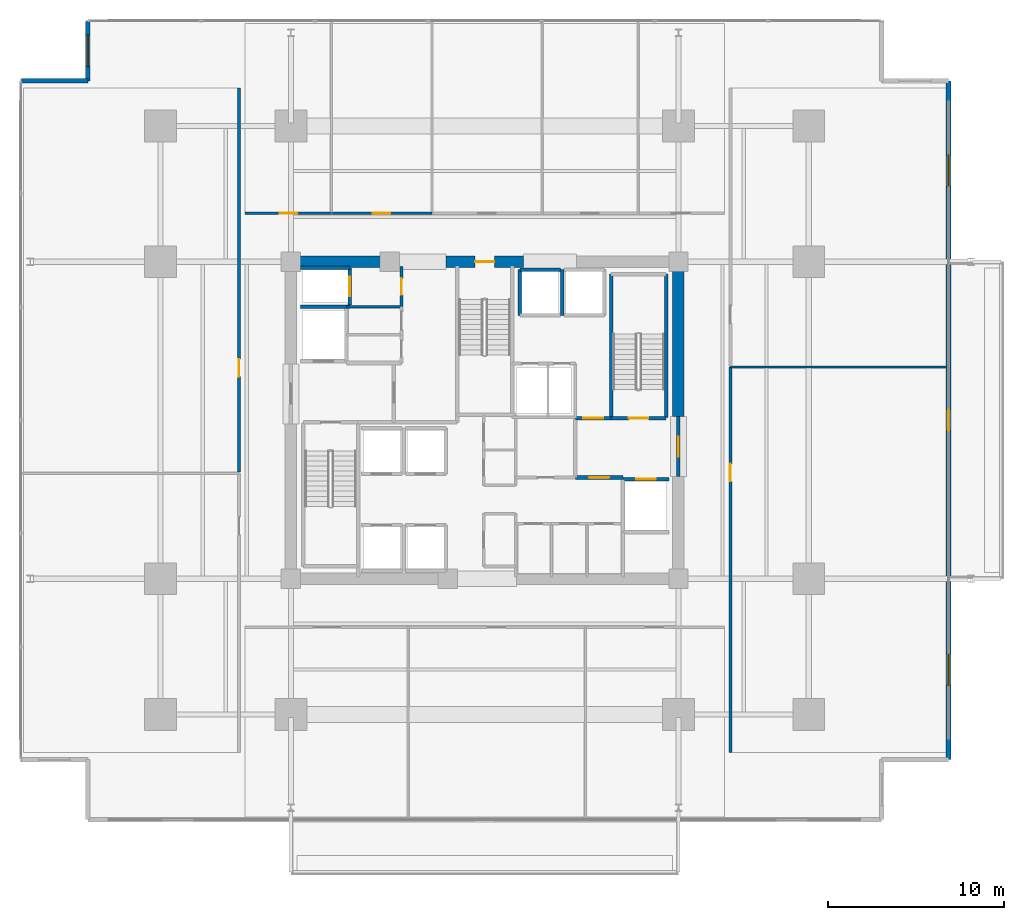
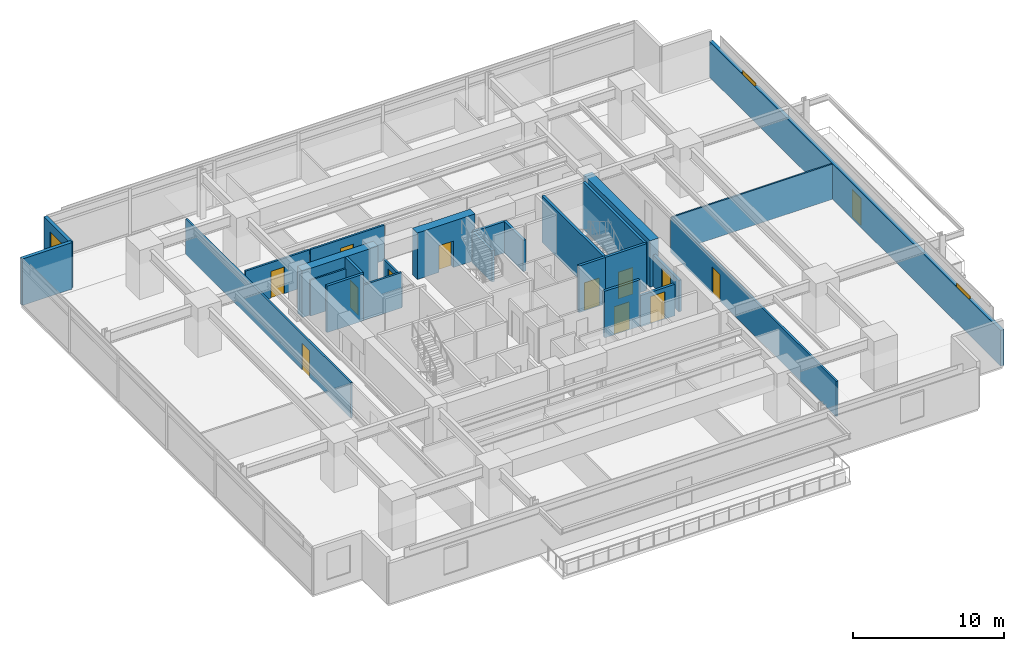
# One storey, part 15 of 21: 26 walls, 13 doors, 3 windows, 16 openings.
"""IFC4 building model written with IfcOpenShell, lengths in metres."""

from ifc_helpers import new_model, si_unit, direction, frame, frame_2d, origin, place, context, subcontext, project, spatial, rectangle, extrude, material, layer, layer_set, type_object, element, fill, save


model = new_model("IFC4")

# Units and contexts
model_context = context("Model", 3, precision=1e-05, world=origin(), true_north=direction((0.0, 1.0)))
body_context = subcontext(model_context, "Body", "Model", "MODEL_VIEW")
ifc_project = project(units=[si_unit("LENGTHUNIT", "METRE"), si_unit("AREAUNIT", "SQUARE_METRE"), si_unit("VOLUMEUNIT", "CUBIC_METRE"), si_unit("PLANEANGLEUNIT", "RADIAN"), si_unit("MASSUNIT", "GRAM", prefix="KILO")], contexts=[model_context])

# Site, building, storey
site_placement = place(None, origin())
site = spatial("IfcSite", under=ifc_project, at=site_placement, CompositionType="ELEMENT")
building_placement = place(site_placement, origin())
building = spatial("IfcBuilding", under=site, at=building_placement, Name="Kovane Verandah Tower", CompositionType="ELEMENT")
storey_placement = place(building_placement, frame((0.0, 0.0, 87.60009765625)))
storey = spatial("IfcBuildingStorey", under=building, at=storey_placement, Name="L20", CompositionType="ELEMENT", Elevation=87.60009765625)

# Wall
ifc_material_1 = material(Name="Fire-Rated Gypsum Stud Partition", Category="gypsum")
ifc_layer_1 = layer(ifc_material_1, 0.14990234375)
ifc_layer_set_1 = layer_set([ifc_layer_1], Name="Fire-Rated Gypsum Stud Partition")
wall_type_1 = type_object("IfcWallType", Name="WL-COR-150", PredefinedType="PARTITIONING", material=ifc_layer_set_1)
wall_1_placement = place(storey_placement, frame((32.14990234375, 33.949951171875, 0.0), z_axis=(0.0, 0.0, 1.0), x_axis=(1.0, 0.0, 0.0)))
element("IfcWall", 1, at=wall_1_placement, inside=storey, type_object=wall_type_1, Name="L20 Goods Lift Lobby South Wall", PredefinedType="PARTITIONING", context=body_context, shape_type="SweptSolid", body=[
    extrude(rectangle(XDim=3.130126953125, YDim=0.14990234375, at=frame_2d((1.56494140625, 0.0))), origin(), (0.0, 0.0, 1.0), 2.849853515625),
])

# Wall, opening, door
wall_2_placement = place(storey_placement, frame((35.280029296875, 33.949951171875, 0.0), z_axis=(0.0, 0.0, 1.0), x_axis=(0.0, 1.0, 0.0)))
wall_2 = element("IfcWall", 2, at=wall_2_placement, inside=storey, type_object=wall_type_1, Name="L20 Goods Lift Lobby East Fire Partition", PredefinedType="PARTITIONING", context=body_context, shape_type="SweptSolid", body=[
    extrude(rectangle(XDim=2.27001953125, YDim=0.14990234375, at=frame_2d((1.135009765625, 0.0))), origin(), (0.0, 0.0, 1.0), 2.539794921875),
])
opening_1_placement = place(wall_2_placement, frame((0.659912109375, 0.0, 0.0)))
opening_1 = element("IfcOpeningElement", 3, at=opening_1_placement, cuts=wall_2, Name="Opening DR-L20-008", PredefinedType="OPENING", context=body_context, shape_type="SweptSolid", body=[
    extrude(rectangle(XDim=0.949951171875, YDim=2.14990234375, at=frame_2d((0.47509765625, 1.074951171875))), frame((0.0, 0.074951171875, 0.0), z_axis=(0.0, -1.0, 0.0), x_axis=(1.0, 0.0, 0.0)), (0.0, 0.0, 1.0), 0.14990234375),
])
ifc_material_2 = material(Name="Fire-Rated Steel Refuge and Lobby Door", Category="steel")
door_type_1 = type_object("IfcDoorType", Name="DR-FIRE-950", OperationType="SINGLE_SWING_LEFT", PredefinedType="DOOR", material=ifc_material_2)
door_1_placement = place(opening_1_placement, origin())
door_1 = element("IfcDoor", 4, at=door_1_placement, inside=storey, type_object=door_type_1, Name="L20 Goods Lift Lobby Fire Door", OperationType="SINGLE_SWING_LEFT", OverallHeight=2.14990234375, OverallWidth=0.949951171875, PredefinedType="DOOR", context=body_context, shape_type="SweptSolid", body=[
    extrude(rectangle(XDim=0.949951171875, YDim=2.14990234375, at=frame_2d((0.47509765625, 1.074951171875))), frame((0.0, 0.02490234375, 0.0), z_axis=(0.0, -1.0, 0.0), x_axis=(1.0, 0.0, 0.0)), (0.0, 0.0, 1.0), 0.050048828125),
])
fill(opening_1, door_1)

wall_3_placement = place(storey_placement, frame((26.39990234375, 39.25, 0.0), z_axis=(0.0, 0.0, 1.0), x_axis=(1.0, 0.0, 0.0)))
wall_3 = element("IfcWall", 5, at=wall_3_placement, inside=storey, type_object=wall_type_1, Name="L20 Breakout Pantry N1 Corridor Partition", PredefinedType="PARTITIONING", context=body_context, shape_type="SweptSolid", body=[
    extrude(rectangle(XDim=4.89599609375, YDim=0.14990234375, at=frame_2d((2.447998046875, 0.0))), origin(), (0.0, 0.0, 1.0), 2.849853515625),
])
opening_2_placement = place(wall_3_placement, frame((1.962890625, 0.0, 0.0)))
opening_2 = element("IfcOpeningElement", 6, at=opening_2_placement, cuts=wall_3, Name="Opening DR-L20-021", PredefinedType="OPENING", context=body_context, shape_type="SweptSolid", body=[
    extrude(rectangle(XDim=1.0, YDim=2.14990234375, at=frame_2d((0.5, 1.074951171875))), frame((0.0, 0.074951171875, 0.0), z_axis=(0.0, -1.0, 0.0), x_axis=(1.0, 0.0, 0.0)), (0.0, 0.0, 1.0), 0.14990234375),
])
ifc_material_3 = material(Name="FSC Spotted-Gum Timber Fire-Rated Office Door", Category="wood")
door_type_2 = type_object("IfcDoorType", Name="DR-OFF-1000", OperationType="SINGLE_SWING_LEFT", PredefinedType="DOOR", material=ifc_material_3)
door_2_placement = place(opening_2_placement, origin())
door_2 = element("IfcDoor", 7, at=door_2_placement, inside=storey, type_object=door_type_2, Name="L20 Breakout Pantry N1 Entrance Door", OperationType="SINGLE_SWING_RIGHT", OverallHeight=2.14990234375, OverallWidth=1.0, PredefinedType="DOOR", context=body_context, shape_type="SweptSolid", body=[
    extrude(rectangle(XDim=1.0, YDim=2.14990234375, at=frame_2d((0.5, 1.074951171875))), frame((0.0, 0.02490234375, 0.0), z_axis=(0.0, -1.0, 0.0), x_axis=(1.0, 0.0, 0.0)), (0.0, 0.0, 1.0), 0.050048828125),
])
fill(opening_2, door_2)

wall_4_placement = place(storey_placement, frame((31.365966796875, 39.25, 0.0), z_axis=(0.0, 0.0, 1.0), x_axis=(1.0, 0.0, 0.0)))
wall_4 = element("IfcWall", 8, at=wall_4_placement, inside=storey, type_object=wall_type_1, Name="L20 Collaboration Hub N2 Corridor Partition", PredefinedType="PARTITIONING", context=body_context, shape_type="SweptSolid", body=[
    extrude(rectangle(XDim=5.64208984375, YDim=0.14990234375, at=frame_2d((2.821044921875, 0.0))), origin(), (0.0, 0.0, 1.0), 2.849853515625),
])
opening_3_placement = place(wall_4_placement, frame((2.285888671875, 0.0, 0.0)))
opening_3 = element("IfcOpeningElement", 9, at=opening_3_placement, cuts=wall_4, Name="Opening DR-L20-022", PredefinedType="OPENING", context=body_context, shape_type="SweptSolid", body=[
    extrude(rectangle(XDim=1.0, YDim=2.14990234375, at=frame_2d((0.5, 1.074951171875))), frame((0.0, 0.074951171875, 0.0), z_axis=(0.0, -1.0, 0.0), x_axis=(1.0, 0.0, 0.0)), (0.0, 0.0, 1.0), 0.14990234375),
])
door_3_placement = place(opening_3_placement, origin())
door_3 = element("IfcDoor", 10, at=door_3_placement, inside=storey, type_object=door_type_2, Name="L20 Collaboration Hub N2 Entrance Door", OperationType="SINGLE_SWING_LEFT", OverallHeight=2.14990234375, OverallWidth=1.0, PredefinedType="DOOR", context=body_context, shape_type="SweptSolid", body=[
    extrude(rectangle(XDim=1.0, YDim=2.14990234375, at=frame_2d((0.5, 1.074951171875))), frame((0.0, 0.02490234375, 0.0), z_axis=(0.0, -1.0, 0.0), x_axis=(1.0, 0.0, 0.0)), (0.0, 0.0, 1.0), 0.050048828125),
])
fill(opening_3, door_3)

wall_5_placement = place(storey_placement, frame((26.050048828125, 24.55078125, 0.0), z_axis=(0.0, 0.0, 1.0), x_axis=(0.0, 1.0, 0.0)))
wall_5 = element("IfcWall", 11, at=wall_5_placement, inside=storey, type_object=wall_type_1, Name="L20 Collaboration Hub W2 Corridor Partition", PredefinedType="PARTITIONING", context=body_context, shape_type="SweptSolid", body=[
    extrude(rectangle(XDim=21.820068359375, YDim=0.14990234375, at=frame_2d((10.91015625, 0.0))), origin(), (0.0, 0.0, 1.0), 2.849853515625),
])
opening_4_placement = place(wall_5_placement, frame((5.424560546875, 0.0, 0.0)))
opening_4 = element("IfcOpeningElement", 12, at=opening_4_placement, cuts=wall_5, Name="Opening DR-L20-034", PredefinedType="OPENING", context=body_context, shape_type="SweptSolid", body=[
    extrude(rectangle(XDim=1.0, YDim=2.14990234375, at=frame_2d((0.5, 1.074951171875))), frame((0.0, 0.074951171875, 0.0), z_axis=(0.0, -1.0, 0.0), x_axis=(1.0, 0.0, 0.0)), (0.0, 0.0, 1.0), 0.14990234375),
])
door_4_placement = place(opening_4_placement, origin())
door_4 = element("IfcDoor", 13, at=door_4_placement, inside=storey, type_object=door_type_2, Name="L20 Collaboration Hub W2 Entrance Door", OperationType="SINGLE_SWING_LEFT", OverallHeight=2.14990234375, OverallWidth=1.0, PredefinedType="DOOR", context=body_context, shape_type="SweptSolid", body=[
    extrude(rectangle(XDim=1.0, YDim=2.14990234375, at=frame_2d((0.5, 1.074951171875))), frame((0.0, 0.02490234375, 0.0), z_axis=(0.0, -1.0, 0.0), x_axis=(1.0, 0.0, 0.0)), (0.0, 0.0, 1.0), 0.050048828125),
])
fill(opening_4, door_4)

wall_6_placement = place(storey_placement, frame((53.949951171875, 8.629150390625, 0.0), z_axis=(0.0, 0.0, 1.0), x_axis=(0.0, 1.0, 0.0)))
wall_6 = element("IfcWall", 14, at=wall_6_placement, inside=storey, type_object=wall_type_1, Name="L20 Document and Print Room E1 Corridor Partition", PredefinedType="PARTITIONING", context=body_context, shape_type="SweptSolid", body=[
    extrude(rectangle(XDim=21.89013671875, YDim=0.14990234375, at=frame_2d((10.945068359375, 0.0))), origin(), (0.0, 0.0, 1.0), 2.849853515625),
])
opening_5_placement = place(wall_6_placement, frame((15.3955078125, 0.0, 0.0)))
opening_5 = element("IfcOpeningElement", 15, at=opening_5_placement, cuts=wall_6, Name="Opening DR-L20-013", PredefinedType="OPENING", context=body_context, shape_type="SweptSolid", body=[
    extrude(rectangle(XDim=1.0, YDim=2.14990234375, at=frame_2d((0.5, 1.074951171875))), frame((0.0, 0.074951171875, 0.0), z_axis=(0.0, -1.0, 0.0), x_axis=(1.0, 0.0, 0.0)), (0.0, 0.0, 1.0), 0.14990234375),
])
door_5_placement = place(opening_5_placement, origin())
door_5 = element("IfcDoor", 16, at=door_5_placement, inside=storey, type_object=door_type_2, Name="L20 Document and Print Room E1 Entrance Door", OperationType="SINGLE_SWING_RIGHT", OverallHeight=2.14990234375, OverallWidth=1.0, PredefinedType="DOOR", context=body_context, shape_type="SweptSolid", body=[
    extrude(rectangle(XDim=1.0, YDim=2.14990234375, at=frame_2d((0.5, 1.074951171875))), frame((0.0, 0.02490234375, 0.0), z_axis=(0.0, -1.0, 0.0), x_axis=(1.0, 0.0, 0.0)), (0.0, 0.0, 1.0), 0.050048828125),
])
fill(opening_5, door_5)

# Wall
ifc_material_4 = material(Name="Concrete C80/95", Category="concrete")
ifc_layer_2 = layer(ifc_material_4, 0.64990234375)
ifc_layer_set_2 = layer_set([ifc_layer_2], Name="Concrete C80/95")
wall_type_2 = type_object("IfcWallType", Name="WL-CORE-650", PredefinedType="SHEAR", material=ifc_layer_set_2)
wall_7_placement = place(storey_placement, frame((29.0, 36.5, 0.0), z_axis=(0.0, 0.0, 1.0), x_axis=(1.0, 0.0, 0.0)))
element("IfcWall", 17, at=wall_7_placement, inside=storey, type_object=wall_type_2, Name="L20 Core Shear Wall CN-1", PredefinedType="SHEAR", context=body_context, shape_type="SweptSolid", body=[
    extrude(rectangle(XDim=5.800048828125, YDim=0.64990234375, at=frame_2d((2.89990234375, 0.0))), origin(), (0.0, 0.0, 1.0), 3.760009765625),
])

# Wall, opening, door
wall_8_placement = place(storey_placement, frame((37.800048828125, 36.5, 0.0), z_axis=(0.0, 0.0, 1.0), x_axis=(1.0, 0.0, 0.0)))
wall_8 = element("IfcWall", 18, at=wall_8_placement, inside=storey, type_object=wall_type_2, Name="L20 Core Shear Wall CN-2", PredefinedType="SHEAR", context=body_context, shape_type="SweptSolid", body=[
    extrude(rectangle(XDim=4.39990234375, YDim=0.64990234375, at=frame_2d((2.199951171875, 0.0))), origin(), (0.0, 0.0, 1.0), 3.760009765625),
])
opening_6_placement = place(wall_8_placement, frame((1.64990234375, 0.0, 0.0)))
opening_6 = element("IfcOpeningElement", 19, at=opening_6_placement, cuts=wall_8, Name="Opening DR-L20-011", PredefinedType="OPENING", context=body_context, shape_type="SweptSolid", body=[
    extrude(rectangle(XDim=1.10009765625, YDim=2.14990234375, at=frame_2d((0.550048828125, 1.074951171875))), frame((0.0, 0.324951171875, 0.0), z_axis=(0.0, -1.0, 0.0), x_axis=(1.0, 0.0, 0.0)), (0.0, 0.0, 1.0), 0.64990234375),
])
ifc_material_5 = material(Name="Fire-Rated Steel Exit Door", Category="steel")
door_type_3 = type_object("IfcDoorType", Name="DR-STAIR-1100", OperationType="SINGLE_SWING_LEFT", PredefinedType="DOOR", material=ifc_material_5)
door_6_placement = place(opening_6_placement, origin())
door_6 = element("IfcDoor", 20, at=door_6_placement, inside=storey, type_object=door_type_3, Name="L20 ST-03 Fire Exit Stair Door", OperationType="SINGLE_SWING_LEFT", OverallHeight=2.14990234375, OverallWidth=1.10009765625, PredefinedType="DOOR", context=body_context, shape_type="SweptSolid", body=[
    extrude(rectangle(XDim=1.10009765625, YDim=2.14990234375, at=frame_2d((0.550048828125, 1.074951171875))), frame((0.0, 0.02490234375, 0.0), z_axis=(0.0, -1.0, 0.0), x_axis=(1.0, 0.0, 0.0)), (0.0, 0.0, 1.0), 0.050048828125),
])
fill(opening_6, door_6)

# Wall
wall_9_placement = place(storey_placement, frame((51.0, 27.699951171875, 0.0), z_axis=(0.0, 0.0, 1.0), x_axis=(0.0, 1.0, 0.0)))
element("IfcWall", 21, at=wall_9_placement, inside=storey, type_object=wall_type_2, Name="L20 Core Shear Wall CE-2", PredefinedType="SHEAR", context=body_context, shape_type="SweptSolid", body=[
    extrude(rectangle(XDim=8.800048828125, YDim=0.64990234375, at=frame_2d((4.39990234375, 0.0))), origin(), (0.0, 0.0, 1.0), 3.760009765625),
])

# Wall, opening, door
ifc_material_6 = material(Name="Concrete C45/55 Fire Wall", Category="concrete")
ifc_layer_3 = layer(ifc_material_6, 0.199951171875)
ifc_layer_set_3 = layer_set([ifc_layer_3], Name="Concrete C45/55 Fire Wall")
wall_type_3 = type_object("IfcWallType", Name="WL-FFL-200", PredefinedType="PARTITIONING", material=ifc_layer_set_3)
wall_10_placement = place(storey_placement, frame((45.14990234375, 24.25, 0.0), z_axis=(0.0, 0.0, 1.0), x_axis=(1.0, 0.0, 0.0)))
wall_10 = element("IfcWall", 22, at=wall_10_placement, inside=storey, type_object=wall_type_3, Name="W-L20-FFLE-S", PredefinedType="PARTITIONING", context=body_context, shape_type="SweptSolid", body=[
    extrude(rectangle(XDim=2.7001953125, YDim=0.199951171875, at=frame_2d((1.35009765625, 0.0))), origin(), (0.0, 0.0, 1.0), 3.760009765625),
])
opening_7_placement = place(wall_10_placement, frame((0.77490234375, 0.0, 0.0)))
opening_7 = element("IfcOpeningElement", 23, at=opening_7_placement, cuts=wall_10, Name="Opening DR-L20-003", PredefinedType="OPENING", context=body_context, shape_type="SweptSolid", body=[
    extrude(rectangle(XDim=1.14990234375, YDim=2.199951171875, at=frame_2d((0.574951171875, 1.10009765625))), frame((0.0, 0.10009765625, 0.0), z_axis=(0.0, -1.0, 0.0), x_axis=(1.0, 0.0, 0.0)), (0.0, 0.0, 1.0), 0.199951171875),
])
ifc_material_7 = material(Name="Smoke-Sealed Firefighting Lobby Door", Category="steel")
door_type_4 = type_object("IfcDoorType", Name="DR-FFL-1150", OperationType="SINGLE_SWING_LEFT", PredefinedType="DOOR", material=ifc_material_7)
door_7_placement = place(opening_7_placement, origin())
door_7 = element("IfcDoor", 24, at=door_7_placement, inside=storey, type_object=door_type_4, Name="L20 East Firefighting Lobby Inner Door", OperationType="SINGLE_SWING_RIGHT", OverallHeight=2.199951171875, OverallWidth=1.14990234375, PredefinedType="DOOR", context=body_context, shape_type="SweptSolid", body=[
    extrude(rectangle(XDim=1.14990234375, YDim=2.199951171875, at=frame_2d((0.574951171875, 1.10009765625))), frame((0.0, 0.02490234375, 0.0), z_axis=(0.0, -1.0, 0.0), x_axis=(1.0, 0.0, 0.0)), (0.0, 0.0, 1.0), 0.050048828125),
])
fill(opening_7, door_7)

wall_11_placement = place(storey_placement, frame((45.14990234375, 27.6201171875, 0.0), z_axis=(0.0, 0.0, 1.0), x_axis=(1.0, 0.0, 0.0)))
wall_11 = element("IfcWall", 25, at=wall_11_placement, inside=storey, type_object=wall_type_3, Name="W-L20-FFLE-N", PredefinedType="PARTITIONING", context=body_context, shape_type="SweptSolid", body=[
    extrude(rectangle(XDim=2.030029296875, YDim=0.199951171875, at=frame_2d((1.01513671875, 0.0))), origin(), (0.0, 0.0, 1.0), 3.760009765625),
])
opening_8_placement = place(wall_11_placement, frame((0.43994140625, 0.0, 0.0)))
opening_8 = element("IfcOpeningElement", 26, at=opening_8_placement, cuts=wall_11, Name="Opening DR-L20-004", PredefinedType="OPENING", context=body_context, shape_type="SweptSolid", body=[
    extrude(rectangle(XDim=1.14990234375, YDim=2.199951171875, at=frame_2d((0.574951171875, 1.10009765625))), frame((0.0, 0.10009765625, 0.0), z_axis=(0.0, -1.0, 0.0), x_axis=(1.0, 0.0, 0.0)), (0.0, 0.0, 1.0), 0.199951171875),
])
door_8_placement = place(opening_8_placement, origin())
door_8 = element("IfcDoor", 27, at=door_8_placement, inside=storey, type_object=door_type_4, Name="L20 East Firefighting Lobby Shuttle Link Door", OperationType="SINGLE_SWING_LEFT", OverallHeight=2.199951171875, OverallWidth=1.14990234375, PredefinedType="DOOR", context=body_context, shape_type="SweptSolid", body=[
    extrude(rectangle(XDim=1.14990234375, YDim=2.199951171875, at=frame_2d((0.574951171875, 1.10009765625))), frame((0.0, 0.02490234375, 0.0), z_axis=(0.0, -1.0, 0.0), x_axis=(1.0, 0.0, 0.0)), (0.0, 0.0, 1.0), 0.050048828125),
])
fill(opening_8, door_8)

wall_12_placement = place(storey_placement, frame((51.0, 24.300048828125, 0.0), z_axis=(0.0, 0.0, 1.0), x_axis=(0.0, 1.0, 0.0)))
wall_12 = element("IfcWall", 28, at=wall_12_placement, inside=storey, type_object=wall_type_3, Name="W-L20-FFLE-OUT", PredefinedType="PARTITIONING", context=body_context, shape_type="SweptSolid", body=[
    extrude(rectangle(XDim=3.39990234375, YDim=0.199951171875, at=frame_2d((1.699951171875, 0.0))), origin(), (0.0, 0.0, 1.0), 2.539794921875),
])
opening_9_placement = place(wall_12_placement, frame((1.125, 0.0, 0.0)))
opening_9 = element("IfcOpeningElement", 29, at=opening_9_placement, cuts=wall_12, Name="Opening DR-L20-005", PredefinedType="OPENING", context=body_context, shape_type="SweptSolid", body=[
    extrude(rectangle(XDim=1.14990234375, YDim=2.199951171875, at=frame_2d((0.574951171875, 1.10009765625))), frame((0.0, 0.10009765625, 0.0), z_axis=(0.0, -1.0, 0.0), x_axis=(1.0, 0.0, 0.0)), (0.0, 0.0, 1.0), 0.199951171875),
])
door_9_placement = place(opening_9_placement, origin())
door_9 = element("IfcDoor", 30, at=door_9_placement, inside=storey, type_object=door_type_4, Name="L20 East Firefighting Lobby Corridor Door", OperationType="SINGLE_SWING_LEFT", OverallHeight=2.199951171875, OverallWidth=1.14990234375, PredefinedType="DOOR", context=body_context, shape_type="SweptSolid", body=[
    extrude(rectangle(XDim=1.14990234375, YDim=2.199951171875, at=frame_2d((0.574951171875, 1.10009765625))), frame((0.0, 0.02490234375, 0.0), z_axis=(0.0, -1.0, 0.0), x_axis=(1.0, 0.0, 0.0)), (0.0, 0.0, 1.0), 0.050048828125),
])
fill(opening_9, door_9)

# Wall
ifc_material_8 = material(Name="Concrete C45/55 Lift Shaft Wall", Category="concrete")
ifc_layer_4 = layer(ifc_material_8, 0.199951171875)
ifc_layer_set_4 = layer_set([ifc_layer_4], Name="Concrete C45/55 Lift Shaft Wall")
wall_type_4 = type_object("IfcWallType", Name="WL-LIFT-200", PredefinedType="SOLIDWALL", material=ifc_layer_set_4)
wall_13_placement = place(storey_placement, frame((29.550048828125, 33.949951171875, 0.0), z_axis=(0.0, 0.0, 1.0), x_axis=(1.0, 0.0, 0.0)))
element("IfcWall", 31, at=wall_13_placement, inside=storey, type_object=wall_type_4, Name="L20 Lift FL-01 and GL-01 Shared Shaft Wall", PredefinedType="SOLIDWALL", context=body_context, shape_type="SweptSolid", body=[
    extrude(rectangle(XDim=2.800048828125, YDim=0.199951171875, at=frame_2d((1.39990234375, 0.0))), origin(), (0.0, 0.0, 1.0), 3.760009765625),
])

# Wall, opening, door
wall_14_placement = place(storey_placement, frame((50.449951171875, 24.14990234375, 0.0), z_axis=(0.0, 0.0, 1.0), x_axis=(-1.0, 0.0, 0.0)))
wall_14 = element("IfcWall", 32, at=wall_14_placement, inside=storey, type_object=wall_type_4, Name="L20 Lift FL-02 N Shaft Wall", PredefinedType="SOLIDWALL", context=body_context, shape_type="SweptSolid", body=[
    extrude(rectangle(XDim=2.599853515625, YDim=0.199951171875, at=frame_2d((1.2998046875, 0.0))), origin(), (0.0, 0.0, 1.0), 2.539794921875),
])
opening_10_placement = place(wall_14_placement, frame((0.75, 0.0, 0.0)))
opening_10 = element("IfcOpeningElement", 33, at=opening_10_placement, cuts=wall_14, Name="Opening LD-L20-002", PredefinedType="OPENING", context=body_context, shape_type="SweptSolid", body=[
    extrude(rectangle(XDim=1.10009765625, YDim=2.199951171875, at=frame_2d((0.550048828125, 1.10009765625))), frame((0.0, 0.10009765625, 0.0), z_axis=(0.0, -1.0, 0.0), x_axis=(1.0, 0.0, 0.0)), (0.0, 0.0, 1.0), 0.199951171875),
])
ifc_material_9 = material(Name="Brushed Stainless Steel Sliding Lift Landing Door", Category="steel")
door_type_5 = type_object("IfcDoorType", Name="DR-LIFT-1100", OperationType="SLIDING_TO_RIGHT", PredefinedType="DOOR", material=ifc_material_9)
door_10_placement = place(opening_10_placement, origin())
door_10 = element("IfcDoor", 34, at=door_10_placement, inside=storey, type_object=door_type_5, Name="L20 Lift FL-02 Sliding Landing Door", OperationType="SLIDING_TO_RIGHT", OverallHeight=2.199951171875, OverallWidth=1.10009765625, PredefinedType="DOOR", context=body_context, shape_type="SweptSolid", body=[
    extrude(rectangle(XDim=1.10009765625, YDim=2.199951171875, at=frame_2d((0.550048828125, 1.10009765625))), frame((0.0, 0.02490234375, 0.0), z_axis=(0.0, -1.0, 0.0), x_axis=(1.0, 0.0, 0.0)), (0.0, 0.0, 1.0), 0.050048828125),
])
fill(opening_10, door_10)

# Wall
wall_15_placement = place(storey_placement, frame((32.35009765625, 36.14990234375, 0.0), z_axis=(0.0, 0.0, 1.0), x_axis=(-1.0, 0.0, 0.0)))
element("IfcWall", 35, at=wall_15_placement, inside=storey, type_object=wall_type_4, Name="L20 Lift GL-01 N Shaft Wall", PredefinedType="SOLIDWALL", context=body_context, shape_type="SweptSolid", body=[
    extrude(rectangle(XDim=2.800048828125, YDim=0.199951171875, at=frame_2d((1.39990234375, 0.0))), origin(), (0.0, 0.0, 1.0), 2.88916015625),
])

# Wall, opening, door
wall_16_placement = place(storey_placement, frame((32.35009765625, 34.050048828125, 0.0), z_axis=(0.0, 0.0, 1.0), x_axis=(0.0, 1.0, 0.0)))
wall_16 = element("IfcWall", 36, at=wall_16_placement, inside=storey, type_object=wall_type_4, Name="L20 Lift GL-01 E Shaft Wall", PredefinedType="SOLIDWALL", context=body_context, shape_type="SweptSolid", body=[
    extrude(rectangle(XDim=2.099853515625, YDim=0.199951171875, at=frame_2d((1.0498046875, 0.0))), origin(), (0.0, 0.0, 1.0), 3.760009765625),
])
opening_11_placement = place(wall_16_placement, frame((0.5, 0.0, 0.0)))
opening_11 = element("IfcOpeningElement", 37, at=opening_11_placement, cuts=wall_16, Name="Opening LD-L20-003", PredefinedType="OPENING", context=body_context, shape_type="SweptSolid", body=[
    extrude(rectangle(XDim=1.10009765625, YDim=2.199951171875, at=frame_2d((0.550048828125, 1.10009765625))), frame((0.0, 0.10009765625, 0.0), z_axis=(0.0, -1.0, 0.0), x_axis=(1.0, 0.0, 0.0)), (0.0, 0.0, 1.0), 0.199951171875),
])
door_11_placement = place(opening_11_placement, origin())
door_11 = element("IfcDoor", 38, at=door_11_placement, inside=storey, type_object=door_type_5, Name="L20 Lift GL-01 Sliding Landing Door", OperationType="SLIDING_TO_RIGHT", OverallHeight=2.199951171875, OverallWidth=1.10009765625, PredefinedType="DOOR", context=body_context, shape_type="SweptSolid", body=[
    extrude(rectangle(XDim=1.10009765625, YDim=2.199951171875, at=frame_2d((0.550048828125, 1.10009765625))), frame((0.0, 0.02490234375, 0.0), z_axis=(0.0, -1.0, 0.0), x_axis=(1.0, 0.0, 0.0)), (0.0, 0.0, 1.0), 0.050048828125),
])
fill(opening_11, door_11)

# Walls
wall_17_placement = place(storey_placement, frame((44.300048828125, 36.050048828125, 0.0), z_axis=(0.0, 0.0, 1.0), x_axis=(-1.0, 0.0, 0.0)))
element("IfcWall", 39, at=wall_17_placement, inside=storey, type_object=wall_type_4, Name="L20 Lift SL-01 N Shaft Wall", PredefinedType="SOLIDWALL", context=body_context, shape_type="SweptSolid", body=[
    extrude(rectangle(XDim=2.300048828125, YDim=0.199951171875, at=frame_2d((1.14990234375, 0.0))), origin(), (0.0, 0.0, 1.0), 2.539794921875),
])
for number, where, z_axis, x_axis, name in (
    (40, (42.0, 36.050048828125, 0.0), (0.0, 0.0, 1.0), (0.0, -1.0, 0.0), "L20 Lift SL-01 W Shaft Wall"),
    (41, (44.39990234375, 33.449951171875, 0.0), (0.0, 0.0, 1.0), (0.0, 1.0, 0.0), "L20 Lift OL-01 and SL-01 Shared Shaft Wall"),
):
    element("IfcWall", number, at=place(storey_placement, frame(where, z_axis=z_axis, x_axis=x_axis)), inside=storey, type_object=wall_type_4, Name=name, PredefinedType="SOLIDWALL", context=body_context, shape_type="SweptSolid", body=[
        extrude(rectangle(XDim=2.60009765625, YDim=0.199951171875, at=frame_2d((1.300048828125, 0.0))), origin(), (0.0, 0.0, 1.0), 2.539794921875),
    ])
ifc_material_10 = material(Name="Acoustic Fire-Rated Gypsum Partition", Category="gypsum")
ifc_layer_5 = layer(ifc_material_10, 0.1201171875)
ifc_layer_set_5 = layer_set([ifc_layer_5], Name="Acoustic Fire-Rated Gypsum Partition")
wall_type_5 = type_object("IfcWallType", Name="WL-PART-120", PredefinedType="PARTITIONING", material=ifc_layer_set_5)
wall_18_placement = place(storey_placement, frame((53.949951171875, 30.519287109375, 0.0), z_axis=(0.0, 0.0, 1.0), x_axis=(1.0, 0.0, 0.0)))
element("IfcWall", 42, at=wall_18_placement, inside=storey, type_object=wall_type_5, Name="L20 Document and Print Room E1 Dividing Partition", PredefinedType="PARTITIONING", context=body_context, shape_type="SweptSolid", body=[
    extrude(rectangle(XDim=12.280029296875, YDim=0.1201171875, at=frame_2d((6.14013671875, 0.0))), origin(), (0.0, 0.0, 1.0), 2.849853515625),
])
ifc_material_11 = material(Name="Concrete C45/55", Category="concrete")
ifc_layer_6 = layer(ifc_material_11, 0.199951171875)
ifc_layer_set_6 = layer_set([ifc_layer_6], Name="Concrete C45/55")
wall_type_6 = type_object("IfcWallType", Name="WL-SHAFT-200", PredefinedType="SOLIDWALL", material=ifc_layer_set_6)
wall_19_placement = place(storey_placement, frame((50.300048828125, 27.64990234375, 0.0), z_axis=(0.0, 0.0, 1.0), x_axis=(0.0, 1.0, 0.0)))
element("IfcWall", 43, at=wall_19_placement, inside=storey, type_object=wall_type_6, Name="W-L20-ST02-E", PredefinedType="SOLIDWALL", context=body_context, shape_type="SweptSolid", body=[
    extrude(rectangle(XDim=8.150146484375, YDim=0.199951171875, at=frame_2d((4.0751953125, 0.0))), origin(), (0.0, 0.0, 1.0), 3.760009765625),
])
wall_20_placement = place(storey_placement, frame((47.179931640625, 27.6201171875, 0.0), z_axis=(0.0, 0.0, 1.0), x_axis=(0.0, 1.0, 0.0)))
element("IfcWall", 44, at=wall_20_placement, inside=storey, type_object=wall_type_6, Name="W-L20-ST02-W", PredefinedType="SOLIDWALL", context=body_context, shape_type="SweptSolid", body=[
    extrude(rectangle(XDim=8.179931640625, YDim=0.199951171875, at=frame_2d((4.08984375, 0.0))), origin(), (0.0, 0.0, 1.0), 3.760009765625),
])

# Wall, opening, door
wall_21_placement = place(storey_placement, frame((47.179931640625, 27.6201171875, 0.0), z_axis=(0.0, 0.0, 1.0), x_axis=(1.0, 0.0, 0.0)))
wall_21 = element("IfcWall", 45, at=wall_21_placement, inside=storey, type_object=wall_type_6, Name="W-L20-ST02-S", PredefinedType="SOLIDWALL", context=body_context, shape_type="SweptSolid", body=[
    extrude(rectangle(XDim=3.1201171875, YDim=0.199951171875, at=frame_2d((1.56005859375, 0.0))), origin(), (0.0, 0.0, 1.0), 3.760009765625),
])
opening_12_placement = place(wall_21_placement, frame((1.010009765625, 0.0, 0.0)))
opening_12 = element("IfcOpeningElement", 46, at=opening_12_placement, cuts=wall_21, Name="Opening DR-L20-010", PredefinedType="OPENING", context=body_context, shape_type="SweptSolid", body=[
    extrude(rectangle(XDim=1.10009765625, YDim=2.14990234375, at=frame_2d((0.550048828125, 1.074951171875))), frame((0.0, 0.10009765625, 0.0), z_axis=(0.0, -1.0, 0.0), x_axis=(1.0, 0.0, 0.0)), (0.0, 0.0, 1.0), 0.199951171875),
])
door_12_placement = place(opening_12_placement, origin())
door_12 = element("IfcDoor", 47, at=door_12_placement, inside=storey, type_object=door_type_3, Name="L20 ST-02 Fire Exit Stair Door", OperationType="SINGLE_SWING_RIGHT", OverallHeight=2.14990234375, OverallWidth=1.10009765625, PredefinedType="DOOR", context=body_context, shape_type="SweptSolid", body=[
    extrude(rectangle(XDim=1.10009765625, YDim=2.14990234375, at=frame_2d((0.550048828125, 1.074951171875))), frame((0.0, 0.02490234375, 0.0), z_axis=(0.0, -1.0, 0.0), x_axis=(1.0, 0.0, 0.0)), (0.0, 0.0, 1.0), 0.050048828125),
])
fill(opening_12, door_12)

# Wall, openings, door, windows
ifc_material_12 = material(Name="Concrete C45/55 Insulated Spandrel Wall", Category="concrete")
ifc_layer_7 = layer(ifc_material_12, 0.260009765625)
ifc_layer_set_7 = layer_set([ifc_layer_7], Name="Concrete C45/55 Insulated Spandrel Wall")
wall_type_7 = type_object("IfcWallType", Name="WL-SPANDREL-260", PredefinedType="PARAPET", material=ifc_layer_set_7)
wall_22_placement = place(storey_placement, frame((66.329833984375, 8.22900390625, 0.0), z_axis=(0.0, 0.0, 1.0), x_axis=(0.0, 1.0, 0.0)))
wall_22 = element("IfcWall", 48, at=wall_22_placement, inside=storey, type_object=wall_type_7, Name="L20 E Verandah Access Facade Wall", PredefinedType="PARAPET", context=body_context, shape_type="SweptSolid", body=[
    extrude(rectangle(XDim=38.5419921875, YDim=0.260009765625, at=frame_2d((19.27099609375, 0.0))), origin(), (0.0, 0.0, 1.0), 2.88916015625),
])
opening_13_placement = place(wall_22_placement, frame((4.199951171875, 0.0, 0.85009765625)))
opening_13 = element("IfcOpeningElement", 49, at=opening_13_placement, cuts=wall_22, Name="Opening W-03", PredefinedType="OPENING", context=body_context, shape_type="SweptSolid", body=[
    extrude(rectangle(XDim=1.800048828125, YDim=2.199951171875, at=frame_2d((0.89990234375, 1.10009765625))), frame((0.0, 0.1298828125, 0.0), z_axis=(0.0, -1.0, 0.0), x_axis=(1.0, 0.0, 0.0)), (0.0, 0.0, 1.0), 0.260009765625),
])
opening_14_placement = place(wall_22_placement, frame((18.6708984375, 0.0, 0.0)))
opening_14 = element("IfcOpeningElement", 50, at=opening_14_placement, cuts=wall_22, Name="Opening DR-L20-001", PredefinedType="OPENING", context=body_context, shape_type="SweptSolid", body=[
    extrude(rectangle(XDim=1.199951171875, YDim=2.199951171875, at=frame_2d((0.60009765625, 1.10009765625))), frame((0.0, 0.1298828125, 0.0), z_axis=(0.0, -1.0, 0.0), x_axis=(1.0, 0.0, 0.0)), (0.0, 0.0, 1.0), 0.260009765625),
])
opening_15_placement = place(wall_22_placement, frame((32.541748046875, 0.0, 0.85009765625)))
opening_15 = element("IfcOpeningElement", 51, at=opening_15_placement, cuts=wall_22, Name="Opening W-03", PredefinedType="OPENING", context=body_context, shape_type="SweptSolid", body=[
    extrude(rectangle(XDim=1.800048828125, YDim=2.199951171875, at=frame_2d((0.89990234375, 1.10009765625))), frame((0.0, 0.1298828125, 0.0), z_axis=(0.0, -1.0, 0.0), x_axis=(1.0, 0.0, 0.0)), (0.0, 0.0, 1.0), 0.260009765625),
])
ifc_material_13 = material(Name="Cyclone-Rated Glazed Balcony Leaf Door", Category="aluminium")
door_type_6 = type_object("IfcDoorType", Name="DR-BAL-1200x2200", OperationType="SINGLE_SWING_LEFT", PredefinedType="DOOR", material=ifc_material_13)
door_13_placement = place(opening_14_placement, origin())
door_13 = element("IfcDoor", 52, at=door_13_placement, inside=storey, type_object=door_type_6, Name="L20 E Planted Balcony Access Door", OperationType="SINGLE_SWING_LEFT", OverallHeight=2.199951171875, OverallWidth=1.199951171875, PredefinedType="DOOR", context=body_context, shape_type="SweptSolid", body=[
    extrude(rectangle(XDim=1.199951171875, YDim=2.199951171875, at=frame_2d((0.60009765625, 1.10009765625))), frame((0.0, 0.02490234375, 0.0), z_axis=(0.0, -1.0, 0.0), x_axis=(1.0, 0.0, 0.0)), (0.0, 0.0, 1.0), 0.050048828125),
])
fill(opening_14, door_13)
ifc_material_14 = material(Name="Clear Low-E Laminated Double Glazing in Anodised Frame", Category="glass")
window_type = type_object("IfcWindowType", Name="WN-NOTCH-1800x2200", PartitioningType="SINGLE_PANEL", PredefinedType="WINDOW", material=ifc_material_14)
window_1_placement = place(opening_13_placement, origin())
window_1 = element("IfcWindow", 53, at=window_1_placement, inside=storey, type_object=window_type, Name="L20 E Verandah View Window 1", OverallHeight=2.199951171875, OverallWidth=1.800048828125, PartitioningType="SINGLE_PANEL", PredefinedType="WINDOW", context=body_context, shape_type="SweptSolid", body=[
    extrude(rectangle(XDim=1.800048828125, YDim=2.199951171875, at=frame_2d((0.89990234375, 1.10009765625))), frame((0.0, 0.030029296875, 0.0), z_axis=(0.0, -1.0, 0.0), x_axis=(1.0, 0.0, 0.0)), (0.0, 0.0, 1.0), 0.06005859375),
])
fill(opening_13, window_1)
window_2_placement = place(opening_15_placement, origin())
window_2 = element("IfcWindow", 54, at=window_2_placement, inside=storey, type_object=window_type, Name="L20 E Verandah View Window 2", OverallHeight=2.199951171875, OverallWidth=1.800048828125, PartitioningType="SINGLE_PANEL", PredefinedType="WINDOW", context=body_context, shape_type="SweptSolid", body=[
    extrude(rectangle(XDim=1.800048828125, YDim=2.199951171875, at=frame_2d((0.89990234375, 1.10009765625))), frame((0.0, 0.030029296875, 0.0), z_axis=(0.0, -1.0, 0.0), x_axis=(1.0, 0.0, 0.0)), (0.0, 0.0, 1.0), 0.06005859375),
])
fill(opening_15, window_2)

# Wall, opening, window
wall_23_placement = place(storey_placement, frame((17.47021484375, 50.1708984375, 0.0), z_axis=(0.0, 0.0, 1.0), x_axis=(0.0, -1.0, 0.0)))
wall_23 = element("IfcWall", 55, at=wall_23_placement, inside=storey, type_object=wall_type_7, Name="L20 NW Notch Cheek Wall 1", PredefinedType="PARAPET", context=body_context, shape_type="SweptSolid", body=[
    extrude(rectangle(XDim=3.39990234375, YDim=0.260009765625, at=frame_2d((1.699951171875, 0.0))), origin(), (0.0, 0.0, 1.0), 3.760009765625),
])
opening_16_placement = place(wall_23_placement, frame((0.800048828125, 0.0, 0.85009765625)))
opening_16 = element("IfcOpeningElement", 56, at=opening_16_placement, cuts=wall_23, Name="Opening W-03", PredefinedType="OPENING", context=body_context, shape_type="SweptSolid", body=[
    extrude(rectangle(XDim=1.800048828125, YDim=2.199951171875, at=frame_2d((0.89990234375, 1.10009765625))), frame((0.0, 0.1298828125, 0.0), z_axis=(0.0, -1.0, 0.0), x_axis=(1.0, 0.0, 0.0)), (0.0, 0.0, 1.0), 0.260009765625),
])
window_3_placement = place(opening_16_placement, origin())
window_3 = element("IfcWindow", 57, at=window_3_placement, inside=storey, type_object=window_type, Name="L20 NW Re-Entrant Corner Operable Window", OverallHeight=2.199951171875, OverallWidth=1.800048828125, PartitioningType="SINGLE_PANEL", PredefinedType="WINDOW", context=body_context, shape_type="SweptSolid", body=[
    extrude(rectangle(XDim=1.800048828125, YDim=2.199951171875, at=frame_2d((0.89990234375, 1.10009765625))), frame((0.0, 0.030029296875, 0.0), z_axis=(0.0, -1.0, 0.0), x_axis=(1.0, 0.0, 0.0)), (0.0, 0.0, 1.0), 0.06005859375),
])
fill(opening_16, window_3)

# Wall
wall_24_placement = place(storey_placement, frame((17.47021484375, 46.77099609375, 0.0), z_axis=(0.0, 0.0, 1.0), x_axis=(-1.0, 0.0, 0.0)))
element("IfcWall", 58, at=wall_24_placement, inside=storey, type_object=wall_type_7, Name="L20 NW Notch Cheek Wall 2", PredefinedType="PARAPET", context=body_context, shape_type="SweptSolid", body=[
    extrude(rectangle(XDim=3.800048828125, YDim=0.260009765625, at=frame_2d((1.89990234375, 0.0))), origin(), (0.0, 0.0, 1.0), 3.760009765625),
])

save(model, "model.ifc")
